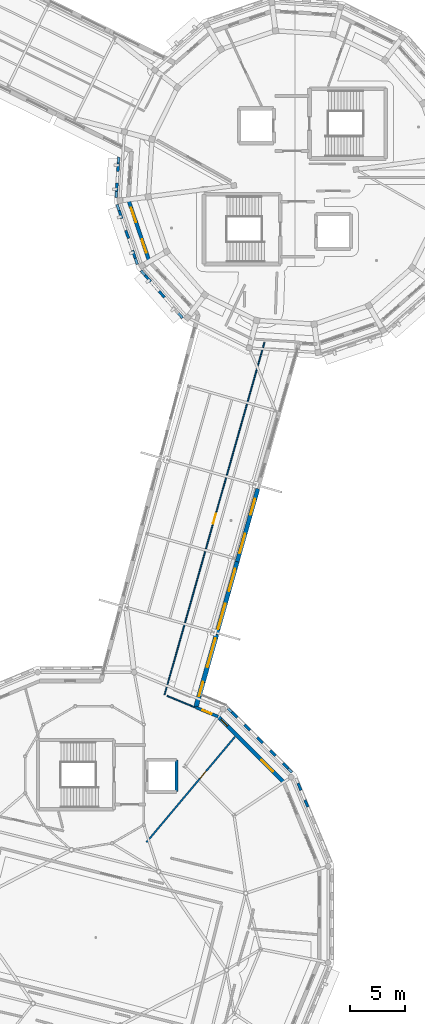
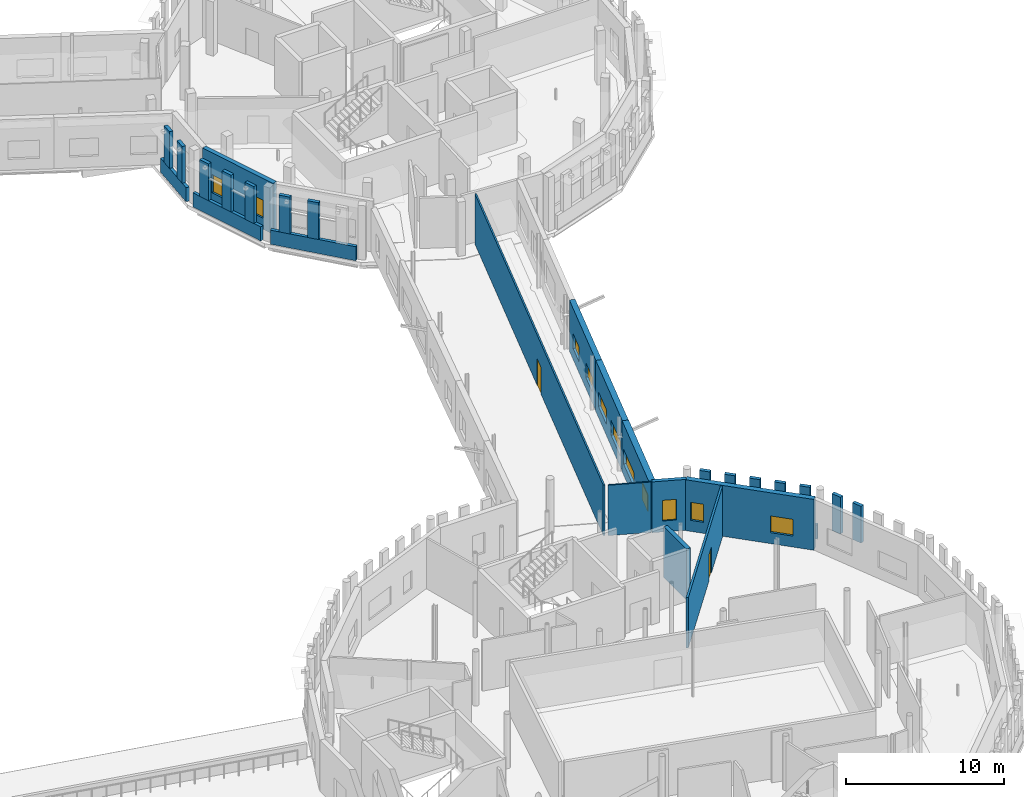
# One storey, part 67 of 90: 28 walls, 11 windows, 2 doors, 13 openings.
"""IFC4 building model written with IfcOpenShell, lengths in metres."""

from ifc_helpers import new_model, si_unit, direction, frame, frame_2d, origin, place, context, subcontext, project, spatial, rectangle, extrude, material, layer, layer_set, type_object, element, fill, save


model = new_model("IFC4")

# Units and contexts
model_context = context("Model", 3, precision=1e-05, world=origin(), true_north=direction((0.0, 1.0)))
body_context = subcontext(model_context, "Body", "Model", "MODEL_VIEW")
ifc_project = project(units=[si_unit("LENGTHUNIT", "METRE"), si_unit("AREAUNIT", "SQUARE_METRE"), si_unit("VOLUMEUNIT", "CUBIC_METRE"), si_unit("PLANEANGLEUNIT", "RADIAN"), si_unit("MASSUNIT", "GRAM", prefix="KILO")], contexts=[model_context])

# Site, building, storey
site_placement = place(None, origin())
site = spatial("IfcSite", under=ifc_project, at=site_placement, CompositionType="ELEMENT")
building_placement = place(site_placement, origin())
building = spatial("IfcBuilding", under=site, at=building_placement, Name="Wrenclough Park School", CompositionType="ELEMENT")
storey_placement = place(building_placement, frame((0.0, 0.0, 8.39990234375)))
storey = spatial("IfcBuildingStorey", under=building, at=storey_placement, Name="L02", CompositionType="ELEMENT", Elevation=8.39990234375)

# Walls
ifc_material_1 = material(Name="Perforated open-bond Staffordshire and Manchester brick screen pier", Category="masonry")
ifc_layer_1 = layer(ifc_material_1, 0.2451171875)
ifc_layer_set_1 = layer_set([ifc_layer_1], Name="Perforated open-bond Staffordshire and Manchester brick screen pier")
wall_type_1 = type_object("IfcWallType", Name="ENV-BS-PR245", PredefinedType="ELEMENTEDWALL", material=ifc_layer_set_1)
for number, where, z_axis, x_axis, name in (
    (1, (175.677001953125, 36.265380859375, 1.090087890625), (0.0, 0.0, 1.0), (-0.38263262807, 0.923900574703, 0.0), "D1 L02 perforated brick screen pier 0390"),
    (2, (175.047119140625, 37.785888671875, 1.090087890625), (0.0, 0.0, 1.0), (-0.38263262807, 0.923900574703, 0.0), "D1 L02 perforated brick screen pier 0391"),
):
    element("IfcWall", number, at=place(storey_placement, frame(where, z_axis=z_axis, x_axis=x_axis)), inside=storey, type_object=wall_type_1, Name=name, PredefinedType="ELEMENTEDWALL", context=body_context, shape_type="SweptSolid", body=[
        extrude(rectangle(XDim=0.69091796875, YDim=0.2451171875, at=frame_2d((0.345458984375, 0.0))), origin(), (0.0, 0.0, 1.0), 2.85009765625),
    ])
wall_1_placement = place(storey_placement, frame((173.895751953125, 39.751708984375, 1.090087890625), z_axis=(0.0, 0.0, 1.0), x_axis=(-0.707283403329, 0.706930114916, 0.0)))
element("IfcWall", 3, at=wall_1_placement, inside=storey, type_object=wall_type_1, Name="D1 L02 perforated brick screen pier 0392", PredefinedType="ELEMENTEDWALL", context=body_context, shape_type="SweptSolid", body=[
    extrude(rectangle(XDim=0.691162109375, YDim=0.2451171875, at=frame_2d((0.345703125, 0.0))), origin(), (0.0, 0.0, 1.0), 2.85009765625),
])
for number, where, z_axis, x_axis, name in (
    (4, (172.73193359375, 40.915283203125, 1.090087890625), (0.0, 0.0, 1.0), (-0.707106781187, 0.707106781187, 0.0), "D1 L02 perforated brick screen pier 0393"),
    (5, (171.568115234375, 42.0791015625, 1.090087890625), (0.0, 0.0, 1.0), (-0.707106781187, 0.707106781187, 0.0), "D1 L02 perforated brick screen pier 0394"),
    (6, (170.404296875, 43.242919921875, 1.090087890625), (0.0, 0.0, 1.0), (-0.707106781187, 0.707106781187, 0.0), "D1 L02 perforated brick screen pier 0395"),
):
    element("IfcWall", number, at=place(storey_placement, frame(where, z_axis=z_axis, x_axis=x_axis)), inside=storey, type_object=wall_type_1, Name=name, PredefinedType="ELEMENTEDWALL", context=body_context, shape_type="SweptSolid", body=[
        extrude(rectangle(XDim=0.69091796875, YDim=0.2451171875, at=frame_2d((0.345458984375, 0.0))), origin(), (0.0, 0.0, 1.0), 2.85009765625),
    ])
wall_2_placement = place(storey_placement, frame((169.24072265625, 44.406494140625, 1.090087890625), z_axis=(0.0, 0.0, 1.0), x_axis=(-0.706930114916, 0.707283403329, 0.0)))
element("IfcWall", 7, at=wall_2_placement, inside=storey, type_object=wall_type_1, Name="D1 L02 perforated brick screen pier 0396", PredefinedType="ELEMENTEDWALL", context=body_context, shape_type="SweptSolid", body=[
    extrude(rectangle(XDim=0.691162109375, YDim=0.2451171875, at=frame_2d((0.345703125, 0.0))), origin(), (0.0, 0.0, 1.0), 2.85009765625),
])
wall_3_placement = place(storey_placement, frame((158.4501953125, 94.810546875, 1.090087890625), z_axis=(0.0, 0.0, 1.0), x_axis=(-0.065517120965, -0.997851445287, 0.0)))
element("IfcWall", 8, at=wall_3_placement, inside=storey, type_object=wall_type_1, Name="D5 L02 perforated brick screen pier 0603", PredefinedType="ELEMENTEDWALL", context=body_context, shape_type="SweptSolid", body=[
    extrude(rectangle(XDim=0.76025390625, YDim=0.2451171875, at=frame_2d((0.380126953125, 0.0))), origin(), (0.0, 0.0, 1.0), 2.85009765625),
])
wall_4_placement = place(storey_placement, frame((158.33056640625, 92.98486328125, 1.090087890625), z_axis=(0.0, 0.0, 1.0), x_axis=(-0.065218228618, -0.997871025061, 0.0)))
element("IfcWall", 9, at=wall_4_placement, inside=storey, type_object=wall_type_1, Name="D5 L02 perforated brick screen pier 0604", PredefinedType="ELEMENTEDWALL", context=body_context, shape_type="SweptSolid", body=[
    extrude(rectangle(XDim=0.760009765625, YDim=0.2451171875, at=frame_2d((0.3798828125, 0.0))), origin(), (0.0, 0.0, 1.0), 2.85009765625),
])
wall_5_placement = place(storey_placement, frame((158.51708984375, 90.49365234375, 1.090087890625), z_axis=(0.0, 0.0, 1.0), x_axis=(0.321332364617, -0.946966478525, 0.0)))
element("IfcWall", 10, at=wall_5_placement, inside=storey, type_object=wall_type_1, Name="D5 L02 perforated brick screen pier 0605", PredefinedType="ELEMENTEDWALL", context=body_context, shape_type="SweptSolid", body=[
    extrude(rectangle(XDim=0.759765625, YDim=0.2451171875, at=frame_2d((0.3798828125, 0.0))), origin(), (0.0, 0.0, 1.0), 2.85009765625),
])
wall_6_placement = place(storey_placement, frame((159.13134765625, 88.684326171875, 1.090087890625), z_axis=(0.0, 0.0, 1.0), x_axis=(0.32123461411, -0.946999642396, 0.0)))
element("IfcWall", 11, at=wall_6_placement, inside=storey, type_object=wall_type_1, Name="D5 L02 perforated brick screen pier 0606", PredefinedType="ELEMENTEDWALL", context=body_context, shape_type="SweptSolid", body=[
    extrude(rectangle(XDim=0.760009765625, YDim=0.2451171875, at=frame_2d((0.3798828125, 0.0))), origin(), (0.0, 0.0, 1.0), 2.85009765625),
])
wall_7_placement = place(storey_placement, frame((159.74560546875, 86.875, 1.090087890625), z_axis=(0.0, 0.0, 1.0), x_axis=(0.321332364617, -0.946966478525, 0.0)))
element("IfcWall", 12, at=wall_7_placement, inside=storey, type_object=wall_type_1, Name="D5 L02 perforated brick screen pier 0607", PredefinedType="ELEMENTEDWALL", context=body_context, shape_type="SweptSolid", body=[
    extrude(rectangle(XDim=0.759765625, YDim=0.2451171875, at=frame_2d((0.3798828125, 0.0))), origin(), (0.0, 0.0, 1.0), 2.85009765625),
])
wall_8_placement = place(storey_placement, frame((160.884033203125, 84.606201171875, 1.090087890625), z_axis=(0.0, 0.0, 1.0), x_axis=(0.659504701015, -0.751700438565, 0.0)))
element("IfcWall", 13, at=wall_8_placement, inside=storey, type_object=wall_type_1, Name="D5 L02 perforated brick screen pier 0608", PredefinedType="ELEMENTEDWALL", context=body_context, shape_type="SweptSolid", body=[
    extrude(rectangle(XDim=0.760009765625, YDim=0.2451171875, at=frame_2d((0.3798828125, 0.0))), origin(), (0.0, 0.0, 1.0), 2.85009765625),
])
wall_9_placement = place(storey_placement, frame((162.143798828125, 83.169921875, 1.090087890625), z_axis=(0.0, 0.0, 1.0), x_axis=(0.659345470196, -0.751840109951, 0.0)))
element("IfcWall", 14, at=wall_9_placement, inside=storey, type_object=wall_type_1, Name="D5 L02 perforated brick screen pier 0609", PredefinedType="ELEMENTEDWALL", context=body_context, shape_type="SweptSolid", body=[
    extrude(rectangle(XDim=0.76025390625, YDim=0.2451171875, at=frame_2d((0.380126953125, 0.0))), origin(), (0.0, 0.0, 1.0), 2.85009765625),
])
ifc_material_2 = material(Name="Open-bond Manchester multi-stock brick spandrel screen", Category="masonry")
ifc_layer_2 = layer(ifc_material_2, 0.22509765625)
ifc_layer_set_2 = layer_set([ifc_layer_2], Name="Open-bond Manchester multi-stock brick spandrel screen")
wall_type_2 = type_object("IfcWallType", Name="ENV-BS-SP225", PredefinedType="ELEMENTEDWALL", material=ifc_layer_set_2)
wall_10_placement = place(storey_placement, frame((174.2333984375, 39.4140625, 0.0), z_axis=(0.0, 0.0, 1.0), x_axis=(-0.707106781187, 0.707106781187, 0.0)))
element("IfcWall", 15, at=wall_10_placement, inside=storey, type_object=wall_type_2, Name="D1 L02 open-bond brick screen spandrel 0110", PredefinedType="ELEMENTEDWALL", context=body_context, shape_type="SweptSolid", body=[
    extrude(rectangle(XDim=8.22900390625, YDim=0.22509765625, at=frame_2d((4.114501953125, 0.0))), origin(), (0.0, 0.0, 1.0), 1.090087890625),
])
wall_11_placement = place(storey_placement, frame((158.485107421875, 95.343994140625, 0.0), z_axis=(0.0, 0.0, 1.0), x_axis=(-0.065389676282, -0.9978598049, 0.0)))
element("IfcWall", 16, at=wall_11_placement, inside=storey, type_object=wall_type_2, Name="D5 L02 open-bond brick screen spandrel 0166", PredefinedType="ELEMENTEDWALL", context=body_context, shape_type="SweptSolid", body=[
    extrude(rectangle(XDim=3.658935546875, YDim=0.22509765625, at=frame_2d((1.82958984375, 0.0))), origin(), (0.0, 0.0, 1.0), 1.090087890625),
])
for number, where, z_axis, x_axis, name in (
    (17, (158.33203125, 91.03857421875, 0.0), (0.0, 0.0, 1.0), (0.321474350277, -0.946918286925, 0.0), "D5 L02 open-bond brick screen spandrel 0167"),
    (18, (160.504638671875, 85.038818359375, 0.0), (0.0, 0.0, 1.0), (0.659360536521, -0.751826896884, 0.0), "D5 L02 open-bond brick screen spandrel 0168"),
):
    element("IfcWall", number, at=place(storey_placement, frame(where, z_axis=z_axis, x_axis=x_axis)), inside=storey, type_object=wall_type_2, Name=name, PredefinedType="ELEMENTEDWALL", context=body_context, shape_type="SweptSolid", body=[
        extrude(rectangle(XDim=5.732177734375, YDim=0.22509765625, at=frame_2d((2.8662109375, 0.0))), origin(), (0.0, 0.0, 1.0), 1.090087890625),
    ])

# Wall, opening, window
ifc_material_3 = material(Name="Link wing brick-faced cavity wall Concrete C32/40", Category="masonry")
ifc_layer_3 = layer(ifc_material_3, 0.27490234375)
ifc_layer_set_3 = layer_set([ifc_layer_3], Name="Link wing brick-faced cavity wall Concrete C32/40")
wall_type_3 = type_object("IfcWallType", Name="ENV-EW-275", PredefinedType="SOLIDWALL", material=ifc_layer_set_3)
wall_12_placement = place(storey_placement, frame((165.493896484375, 45.3203125, 0.0), z_axis=(0.0, 0.0, 1.0), x_axis=(0.923883575944, -0.382673670509, 0.0)))
wall_12 = element("IfcWall", 19, at=wall_12_placement, inside=storey, type_object=wall_type_3, Name="L02 insulated brick external wall 0198", PredefinedType="SOLIDWALL", context=body_context, shape_type="SweptSolid", body=[
    extrude(rectangle(XDim=2.188232421875, YDim=0.27490234375, at=frame_2d((1.09423828125, 0.0))), origin(), (0.0, 0.0, 1.0), 3.940185546875),
])
opening_1_placement = place(wall_12_placement, frame((0.644287109375, 0.0, 0.85009765625)))
opening_1 = element("IfcOpeningElement", 20, at=opening_1_placement, cuts=wall_12, Name="Opening WN-13", PredefinedType="OPENING", context=body_context, shape_type="SweptSolid", body=[
    extrude(rectangle(XDim=0.89990234375, YDim=1.60009765625, at=frame_2d((0.449951171875, 0.800048828125))), frame((0.0, 0.1474609375, 0.0), z_axis=(0.0, -1.0, 0.0), x_axis=(1.0, 0.0, 0.0)), (0.0, 0.0, 1.0), 0.294921875),
])
ifc_material_4 = material(Name="Thermally broken aluminium and double-glazed low-e glass", Category="aluminium")
window_type_1 = type_object("IfcWindowType", Name="ENV-WN-13", PartitioningType="SINGLE_PANEL", PredefinedType="WINDOW", material=ifc_material_4)
window_1_placement = place(opening_1_placement, origin())
window_1 = element("IfcWindow", 21, at=window_1_placement, inside=storey, type_object=window_type_1, Name="L02 scheduled facade window 0323", OverallHeight=1.60009765625, OverallWidth=0.89990234375, PartitioningType="SINGLE_PANEL", PredefinedType="WINDOW", context=body_context, shape_type="SweptSolid", body=[
    extrude(rectangle(XDim=0.89990234375, YDim=1.60009765625, at=frame_2d((0.449951171875, 0.800048828125))), frame((0.0, 0.030029296875, 0.0), z_axis=(0.0, -1.0, 0.0), x_axis=(1.0, 0.0, 0.0)), (0.0, 0.0, 1.0), 0.06005859375),
])
fill(opening_1, window_1)

# Wall, openings, windows
ifc_material_5 = material(Name="Manchester multi-stock brick and Concrete C32/40 inner leaf", Category="masonry")
ifc_layer_4 = layer(ifc_material_5, 0.324951171875)
ifc_layer_set_4 = layer_set([ifc_layer_4], Name="Manchester multi-stock brick and Concrete C32/40 inner leaf")
wall_type_4 = type_object("IfcWallType", Name="ENV-EW-325", PredefinedType="SOLIDWALL", material=ifc_layer_set_4)
wall_13_placement = place(storey_placement, frame((161.26904296875, 85.861083984375, 0.0), z_axis=(0.0, 0.0, 1.0), x_axis=(-0.321420298269, 0.94693663561, 0.0)))
wall_13 = element("IfcWall", 22, at=wall_13_placement, inside=storey, type_object=wall_type_4, Name="L02 insulated brick external wall 0145", PredefinedType="SOLIDWALL", context=body_context, shape_type="SweptSolid", body=[
    extrude(rectangle(XDim=5.961181640625, YDim=0.324951171875, at=frame_2d((2.98046875, 0.0))), origin(), (0.0, 0.0, 1.0), 3.940185546875),
])
opening_2_placement = place(wall_13_placement, frame((0.865234375, 0.0, 0.85009765625)))
opening_2 = element("IfcOpeningElement", 23, at=opening_2_placement, cuts=wall_13, Name="Opening WN-04", PredefinedType="OPENING", context=body_context, shape_type="SweptSolid", body=[
    extrude(rectangle(XDim=1.25, YDim=1.39990234375, at=frame_2d((0.625, 0.699951171875))), frame((0.0, 0.17236328125, 0.0), z_axis=(0.0, -1.0, 0.0), x_axis=(1.0, 0.0, 0.0)), (0.0, 0.0, 1.0), 0.344970703125),
])
opening_3_placement = place(wall_13_placement, frame((3.77099609375, 0.0, 0.85009765625)))
opening_3 = element("IfcOpeningElement", 24, at=opening_3_placement, cuts=wall_13, Name="Opening WN-05", PredefinedType="OPENING", context=body_context, shape_type="SweptSolid", body=[
    extrude(rectangle(XDim=1.39990234375, YDim=1.39990234375, at=frame_2d((0.699951171875, 0.699951171875))), frame((0.0, 0.17236328125, 0.0), z_axis=(0.0, -1.0, 0.0), x_axis=(1.0, 0.0, 0.0)), (0.0, 0.0, 1.0), 0.344970703125),
])
window_type_2 = type_object("IfcWindowType", Name="ENV-WN-04", PartitioningType="SINGLE_PANEL", PredefinedType="WINDOW", material=ifc_material_4)
window_2_placement = place(opening_2_placement, origin())
window_2 = element("IfcWindow", 25, at=window_2_placement, inside=storey, type_object=window_type_2, Name="L02 scheduled facade window 0227", OverallHeight=1.39990234375, OverallWidth=1.25, PartitioningType="SINGLE_PANEL", PredefinedType="WINDOW", context=body_context, shape_type="SweptSolid", body=[
    extrude(rectangle(XDim=1.25, YDim=1.39990234375, at=frame_2d((0.625, 0.699951171875))), frame((0.0, 0.030029296875, 0.0), z_axis=(0.0, -1.0, 0.0), x_axis=(1.0, 0.0, 0.0)), (0.0, 0.0, 1.0), 0.06005859375),
])
fill(opening_2, window_2)
window_type_3 = type_object("IfcWindowType", Name="ENV-WN-05", PartitioningType="SINGLE_PANEL", PredefinedType="WINDOW", material=ifc_material_4)
window_3_placement = place(opening_3_placement, origin())
window_3 = element("IfcWindow", 26, at=window_3_placement, inside=storey, type_object=window_type_3, Name="L02 scheduled facade window 0228", OverallHeight=1.39990234375, OverallWidth=1.39990234375, PartitioningType="SINGLE_PANEL", PredefinedType="WINDOW", context=body_context, shape_type="SweptSolid", body=[
    extrude(rectangle(XDim=1.39990234375, YDim=1.39990234375, at=frame_2d((0.699951171875, 0.699951171875))), frame((0.0, 0.030029296875, 0.0), z_axis=(0.0, -1.0, 0.0), x_axis=(1.0, 0.0, 0.0)), (0.0, 0.0, 1.0), 0.06005859375),
])
fill(opening_3, window_3)

ifc_material_6 = material(Name="Faceted courtyard brick-cavity wall Concrete C35/45", Category="masonry")
ifc_layer_5 = layer(ifc_material_6, 0.364990234375)
ifc_layer_set_5 = layer_set([ifc_layer_5], Name="Faceted courtyard brick-cavity wall Concrete C35/45")
wall_type_5 = type_object("IfcWallType", Name="ENV-EW-365", PredefinedType="SOLIDWALL", material=ifc_layer_set_5)
wall_14_placement = place(storey_placement, frame((167.515625, 44.48291015625, 0.0), z_axis=(0.0, 0.0, 1.0), x_axis=(0.707106781187, -0.707106781187, 0.0)))
wall_14 = element("IfcWall", 27, at=wall_14_placement, inside=storey, type_object=wall_type_5, Name="L02 insulated brick external wall 0199", PredefinedType="SOLIDWALL", context=body_context, shape_type="SweptSolid", body=[
    extrude(rectangle(XDim=8.43896484375, YDim=0.364990234375, at=frame_2d((4.219482421875, 0.0))), origin(), (0.0, 0.0, 1.0), 3.940185546875),
])
opening_4_placement = place(wall_14_placement, frame((0.35009765625, 0.0, 0.85009765625)))
opening_4 = element("IfcOpeningElement", 28, at=opening_4_placement, cuts=wall_14, Name="Opening WN-01", PredefinedType="OPENING", context=body_context, shape_type="SweptSolid", body=[
    extrude(rectangle(XDim=0.85009765625, YDim=1.39990234375, at=frame_2d((0.425048828125, 0.699951171875))), frame((0.0, 0.1923828125, 0.0), z_axis=(0.0, -1.0, 0.0), x_axis=(1.0, 0.0, 0.0)), (0.0, 0.0, 1.0), 0.385009765625),
])
opening_5_placement = place(wall_14_placement, frame((5.5791015625, 0.0, 0.85009765625)))
opening_5 = element("IfcOpeningElement", 29, at=opening_5_placement, cuts=wall_14, Name="Opening WN-46", PredefinedType="OPENING", context=body_context, shape_type="SweptSolid", body=[
    extrude(rectangle(XDim=1.5, YDim=1.300048828125, at=frame_2d((0.75, 0.64990234375))), frame((0.0, 0.1923828125, 0.0), z_axis=(0.0, -1.0, 0.0), x_axis=(1.0, 0.0, 0.0)), (0.0, 0.0, 1.0), 0.385009765625),
])
window_type_4 = type_object("IfcWindowType", Name="ENV-WN-01", PartitioningType="SINGLE_PANEL", PredefinedType="WINDOW", material=ifc_material_4)
window_4_placement = place(opening_4_placement, origin())
window_4 = element("IfcWindow", 30, at=window_4_placement, inside=storey, type_object=window_type_4, Name="L02 scheduled facade window 0324", OverallHeight=1.39990234375, OverallWidth=0.85009765625, PartitioningType="SINGLE_PANEL", PredefinedType="WINDOW", context=body_context, shape_type="SweptSolid", body=[
    extrude(rectangle(XDim=0.85009765625, YDim=1.39990234375, at=frame_2d((0.425048828125, 0.699951171875))), frame((0.0, 0.030029296875, 0.0), z_axis=(0.0, -1.0, 0.0), x_axis=(1.0, 0.0, 0.0)), (0.0, 0.0, 1.0), 0.06005859375),
])
fill(opening_4, window_4)
window_type_5 = type_object("IfcWindowType", Name="ENV-WN-46", PartitioningType="DOUBLE_PANEL_VERTICAL", PredefinedType="WINDOW", material=ifc_material_4)
window_5_placement = place(opening_5_placement, origin())
window_5 = element("IfcWindow", 31, at=window_5_placement, inside=storey, type_object=window_type_5, Name="L02 scheduled facade window 0325", OverallHeight=1.300048828125, OverallWidth=1.5, PartitioningType="SINGLE_PANEL", PredefinedType="WINDOW", context=body_context, shape_type="SweptSolid", body=[
    extrude(rectangle(XDim=1.5, YDim=1.300048828125, at=frame_2d((0.75, 0.64990234375))), frame((0.0, 0.030029296875, 0.0), z_axis=(0.0, -1.0, 0.0), x_axis=(1.0, 0.0, 0.0)), (0.0, 0.0, 1.0), 0.06005859375),
])
fill(opening_5, window_5)

ifc_material_7 = material(Name="Manchester multi-stock brick and Concrete C35/45 inner leaf", Category="masonry")
ifc_layer_6 = layer(ifc_material_7, 0.3798828125)
ifc_layer_set_6 = layer_set([ifc_layer_6], Name="Manchester multi-stock brick and Concrete C35/45 inner leaf")
wall_type_6 = type_object("IfcWallType", Name="ENV-EW-380", PredefinedType="SOLIDWALL", material=ifc_layer_set_6)
wall_15_placement = place(storey_placement, frame((171.132080078125, 65.202880859375, 0.0), z_axis=(0.0, 0.0, 1.0), x_axis=(-0.27282018356, -0.962065043249, 0.0)))
wall_15 = element("IfcWall", 32, at=wall_15_placement, inside=storey, type_object=wall_type_6, Name="L02 insulated brick external wall 0195", PredefinedType="SOLIDWALL", context=body_context, shape_type="SweptSolid", body=[
    extrude(rectangle(XDim=6.888671875, YDim=0.3798828125, at=frame_2d((3.4443359375, 0.0))), origin(), (0.0, 0.0, 1.0), 3.940185546875),
])
opening_6_placement = place(wall_15_placement, frame((0.97216796875, 0.0, 0.85009765625)))
opening_6 = element("IfcOpeningElement", 33, at=opening_6_placement, cuts=wall_15, Name="Opening WN-38", PredefinedType="OPENING", context=body_context, shape_type="SweptSolid", body=[
    extrude(rectangle(XDim=1.5, YDim=1.14990234375, at=frame_2d((0.75, 0.574951171875))), frame((0.0, 0.199951171875, 0.0), z_axis=(0.0, -1.0, 0.0), x_axis=(1.0, 0.0, 0.0)), (0.0, 0.0, 1.0), 0.39990234375),
])
opening_7_placement = place(wall_15_placement, frame((4.2666015625, 0.0, 0.85009765625)))
opening_7 = element("IfcOpeningElement", 34, at=opening_7_placement, cuts=wall_15, Name="Opening WN-39", PredefinedType="OPENING", context=body_context, shape_type="SweptSolid", body=[
    extrude(rectangle(XDim=1.800048828125, YDim=1.14990234375, at=frame_2d((0.89990234375, 0.574951171875))), frame((0.0, 0.199951171875, 0.0), z_axis=(0.0, -1.0, 0.0), x_axis=(1.0, 0.0, 0.0)), (0.0, 0.0, 1.0), 0.39990234375),
])
window_type_6 = type_object("IfcWindowType", Name="ENV-WN-38", PartitioningType="DOUBLE_PANEL_VERTICAL", PredefinedType="WINDOW", material=ifc_material_4)
window_6_placement = place(opening_6_placement, origin())
window_6 = element("IfcWindow", 35, at=window_6_placement, inside=storey, type_object=window_type_6, Name="L02 scheduled facade window 0317", OverallHeight=1.14990234375, OverallWidth=1.5, PartitioningType="SINGLE_PANEL", PredefinedType="WINDOW", context=body_context, shape_type="SweptSolid", body=[
    extrude(rectangle(XDim=1.5, YDim=1.14990234375, at=frame_2d((0.75, 0.574951171875))), frame((0.0, 0.030029296875, 0.0), z_axis=(0.0, -1.0, 0.0), x_axis=(1.0, 0.0, 0.0)), (0.0, 0.0, 1.0), 0.06005859375),
])
fill(opening_6, window_6)
window_type_7 = type_object("IfcWindowType", Name="ENV-WN-39", PartitioningType="DOUBLE_PANEL_VERTICAL", PredefinedType="WINDOW", material=ifc_material_4)
window_7_placement = place(opening_7_placement, origin())
window_7 = element("IfcWindow", 36, at=window_7_placement, inside=storey, type_object=window_type_7, Name="L02 scheduled facade window 0318", OverallHeight=1.14990234375, OverallWidth=1.800048828125, PartitioningType="SINGLE_PANEL", PredefinedType="WINDOW", context=body_context, shape_type="SweptSolid", body=[
    extrude(rectangle(XDim=1.800048828125, YDim=1.14990234375, at=frame_2d((0.89990234375, 0.574951171875))), frame((0.0, 0.030029296875, 0.0), z_axis=(0.0, -1.0, 0.0), x_axis=(1.0, 0.0, 0.0)), (0.0, 0.0, 1.0), 0.06005859375),
])
fill(opening_7, window_7)

ifc_material_8 = material(Name="Staffordshire blue-grey brick and Concrete C40/50 acoustic leaf", Category="masonry")
ifc_layer_7 = layer(ifc_material_8, 0.39990234375)
ifc_layer_set_7 = layer_set([ifc_layer_7], Name="Staffordshire blue-grey brick and Concrete C40/50 acoustic leaf")
wall_type_7 = type_object("IfcWallType", Name="ENV-EW-400", PredefinedType="SOLIDWALL", material=ifc_layer_set_7)
wall_16_placement = place(storey_placement, frame((169.252685546875, 58.575439453125, 0.0), z_axis=(0.0, 0.0, 1.0), x_axis=(-0.272810881797, -0.962067680973, 0.0)))
wall_16 = element("IfcWall", 37, at=wall_16_placement, inside=storey, type_object=wall_type_7, Name="L02 insulated brick external wall 0196", PredefinedType="SOLIDWALL", context=body_context, shape_type="SweptSolid", body=[
    extrude(rectangle(XDim=6.888916015625, YDim=0.39990234375, at=frame_2d((3.4443359375, 0.0))), origin(), (0.0, 0.0, 1.0), 3.940185546875),
])
opening_8_placement = place(wall_16_placement, frame((0.672119140625, 0.0, 0.85009765625)))
opening_8 = element("IfcOpeningElement", 38, at=opening_8_placement, cuts=wall_16, Name="Opening WN-40", PredefinedType="OPENING", context=body_context, shape_type="SweptSolid", body=[
    extrude(rectangle(XDim=2.10009765625, YDim=1.14990234375, at=frame_2d((1.050048828125, 0.574951171875))), frame((0.0, 0.2099609375, 0.0), z_axis=(0.0, -1.0, 0.0), x_axis=(1.0, 0.0, 0.0)), (0.0, 0.0, 1.0), 0.419921875),
])
opening_9_placement = place(wall_16_placement, frame((3.966796875, 0.0, 0.85009765625)))
opening_9 = element("IfcOpeningElement", 39, at=opening_9_placement, cuts=wall_16, Name="Opening WN-41", PredefinedType="OPENING", context=body_context, shape_type="SweptSolid", body=[
    extrude(rectangle(XDim=2.39990234375, YDim=1.14990234375, at=frame_2d((1.199951171875, 0.574951171875))), frame((0.0, 0.2099609375, 0.0), z_axis=(0.0, -1.0, 0.0), x_axis=(1.0, 0.0, 0.0)), (0.0, 0.0, 1.0), 0.419921875),
])
window_type_8 = type_object("IfcWindowType", Name="ENV-WN-40", PartitioningType="DOUBLE_PANEL_VERTICAL", PredefinedType="WINDOW", material=ifc_material_4)
window_8_placement = place(opening_8_placement, origin())
window_8 = element("IfcWindow", 40, at=window_8_placement, inside=storey, type_object=window_type_8, Name="L02 scheduled facade window 0319", OverallHeight=1.14990234375, OverallWidth=2.10009765625, PartitioningType="SINGLE_PANEL", PredefinedType="WINDOW", context=body_context, shape_type="SweptSolid", body=[
    extrude(rectangle(XDim=2.10009765625, YDim=1.14990234375, at=frame_2d((1.050048828125, 0.574951171875))), frame((0.0, 0.030029296875, 0.0), z_axis=(0.0, -1.0, 0.0), x_axis=(1.0, 0.0, 0.0)), (0.0, 0.0, 1.0), 0.06005859375),
])
fill(opening_8, window_8)
window_type_9 = type_object("IfcWindowType", Name="ENV-WN-41", PartitioningType="DOUBLE_PANEL_VERTICAL", PredefinedType="WINDOW", material=ifc_material_4)
window_9_placement = place(opening_9_placement, origin())
window_9 = element("IfcWindow", 41, at=window_9_placement, inside=storey, type_object=window_type_9, Name="L02 scheduled facade window 0320", OverallHeight=1.14990234375, OverallWidth=2.39990234375, PartitioningType="SINGLE_PANEL", PredefinedType="WINDOW", context=body_context, shape_type="SweptSolid", body=[
    extrude(rectangle(XDim=2.39990234375, YDim=1.14990234375, at=frame_2d((1.199951171875, 0.574951171875))), frame((0.0, 0.030029296875, 0.0), z_axis=(0.0, -1.0, 0.0), x_axis=(1.0, 0.0, 0.0)), (0.0, 0.0, 1.0), 0.06005859375),
])
fill(opening_9, window_9)

ifc_material_9 = material(Name="Insulated brick-clad sports hall wall Concrete C40/50", Category="masonry")
ifc_layer_8 = layer(ifc_material_9, 0.425048828125)
ifc_layer_set_8 = layer_set([ifc_layer_8], Name="Insulated brick-clad sports hall wall Concrete C40/50")
wall_type_8 = type_object("IfcWallType", Name="ENV-EW-425", PredefinedType="SOLIDWALL", material=ifc_layer_set_8)
wall_17_placement = place(storey_placement, frame((167.373291015625, 51.94775390625, 0.0), z_axis=(0.0, 0.0, 1.0), x_axis=(-0.27282018356, -0.962065043249, 0.0)))
wall_17 = element("IfcWall", 42, at=wall_17_placement, inside=storey, type_object=wall_type_8, Name="L02 insulated brick external wall 0197", PredefinedType="SOLIDWALL", context=body_context, shape_type="SweptSolid", body=[
    extrude(rectangle(XDim=6.888671875, YDim=0.425048828125, at=frame_2d((3.4443359375, 0.0))), origin(), (0.0, 0.0, 1.0), 3.940185546875),
])
opening_10_placement = place(wall_17_placement, frame((0.372314453125, 0.0, 0.85009765625)))
opening_10 = element("IfcOpeningElement", 43, at=opening_10_placement, cuts=wall_17, Name="Opening WN-42", PredefinedType="OPENING", context=body_context, shape_type="SweptSolid", body=[
    extrude(rectangle(XDim=2.699951171875, YDim=1.14990234375, at=frame_2d((1.35009765625, 0.574951171875))), frame((0.0, 0.222412109375, 0.0), z_axis=(0.0, -1.0, 0.0), x_axis=(1.0, 0.0, 0.0)), (0.0, 0.0, 1.0), 0.445068359375),
])
opening_11_placement = place(wall_17_placement, frame((4.49169921875, 0.0, 0.85009765625)))
opening_11 = element("IfcOpeningElement", 44, at=opening_11_placement, cuts=wall_17, Name="Opening WN-43", PredefinedType="OPENING", context=body_context, shape_type="SweptSolid", body=[
    extrude(rectangle(XDim=1.35009765625, YDim=1.300048828125, at=frame_2d((0.675048828125, 0.64990234375))), frame((0.0, 0.222412109375, 0.0), z_axis=(0.0, -1.0, 0.0), x_axis=(1.0, 0.0, 0.0)), (0.0, 0.0, 1.0), 0.445068359375),
])
window_type_10 = type_object("IfcWindowType", Name="ENV-WN-42", PartitioningType="DOUBLE_PANEL_VERTICAL", PredefinedType="WINDOW", material=ifc_material_4)
window_10_placement = place(opening_10_placement, origin())
window_10 = element("IfcWindow", 45, at=window_10_placement, inside=storey, type_object=window_type_10, Name="L02 scheduled facade window 0321", OverallHeight=1.14990234375, OverallWidth=2.699951171875, PartitioningType="SINGLE_PANEL", PredefinedType="WINDOW", context=body_context, shape_type="SweptSolid", body=[
    extrude(rectangle(XDim=2.699951171875, YDim=1.14990234375, at=frame_2d((1.35009765625, 0.574951171875))), frame((0.0, 0.030029296875, 0.0), z_axis=(0.0, -1.0, 0.0), x_axis=(1.0, 0.0, 0.0)), (0.0, 0.0, 1.0), 0.06005859375),
])
fill(opening_10, window_10)
window_type_11 = type_object("IfcWindowType", Name="ENV-WN-43", PartitioningType="SINGLE_PANEL", PredefinedType="WINDOW", material=ifc_material_4)
window_11_placement = place(opening_11_placement, origin())
window_11 = element("IfcWindow", 46, at=window_11_placement, inside=storey, type_object=window_type_11, Name="L02 scheduled facade window 0322", OverallHeight=1.300048828125, OverallWidth=1.35009765625, PartitioningType="SINGLE_PANEL", PredefinedType="WINDOW", context=body_context, shape_type="SweptSolid", body=[
    extrude(rectangle(XDim=1.35009765625, YDim=1.300048828125, at=frame_2d((0.675048828125, 0.64990234375))), frame((0.0, 0.030029296875, 0.0), z_axis=(0.0, -1.0, 0.0), x_axis=(1.0, 0.0, 0.0)), (0.0, 0.0, 1.0), 0.06005859375),
])
fill(opening_11, window_11)

# Wall
ifc_material_10 = material(Name="Concrete C40/50", Category="concrete")
ifc_layer_9 = layer(ifc_material_10, 0.2900390625)
ifc_layer_set_9 = layer_set([ifc_layer_9], Name="Concrete C40/50")
wall_type_9 = type_object("IfcWallType", Name="INT-CW-290", PredefinedType="SHEAR", material=ifc_layer_set_9)
wall_18_placement = place(storey_placement, frame((163.7451171875, 37.655029296875, 0.0), z_axis=(0.0, 0.0, 1.0), x_axis=(0.0, 1.0, 0.0)))
element("IfcWall", 47, at=wall_18_placement, inside=storey, type_object=wall_type_9, Name="Lift LFT-03 L02 east shaft wall", PredefinedType="SHEAR", context=body_context, shape_type="SweptSolid", body=[
    extrude(rectangle(XDim=2.889892578125, YDim=0.2900390625, at=frame_2d((1.44482421875, 0.0))), origin(), (0.0, 0.0, 1.0), 3.9501953125),
])

# Wall, opening, door
ifc_material_11 = material(Name="Lightweight fire-rated store partition", Category="gypsum")
ifc_layer_10 = layer(ifc_material_11, 0.110107421875)
ifc_layer_set_10 = layer_set([ifc_layer_10], Name="Lightweight fire-rated store partition")
wall_type_10 = type_object("IfcWallType", Name="INT-PW-110", PredefinedType="PARTITIONING", material=ifc_layer_set_10)
wall_19_placement = place(storey_placement, frame((171.727783203125, 78.4951171875, 0.0), z_axis=(0.0, 0.0, 1.0), x_axis=(-0.27275916011, -0.962082346047, 0.0)))
wall_19 = element("IfcWall", 48, at=wall_19_placement, inside=storey, type_object=wall_type_10, Name="L02 internal partition 0404", PredefinedType="PARTITIONING", context=body_context, shape_type="SweptSolid", body=[
    extrude(rectangle(XDim=33.29052734375, YDim=0.110107421875, at=frame_2d((16.645263671875, 0.0))), origin(), (0.0, 0.0, 1.0), 3.900146484375),
])
opening_12_placement = place(wall_19_placement, frame((16.185302734375, 0.0, 0.0)))
opening_12 = element("IfcOpeningElement", 49, at=opening_12_placement, cuts=wall_19, Name="Opening DR-L02-081", PredefinedType="OPENING", context=body_context, shape_type="SweptSolid", body=[
    extrude(rectangle(XDim=0.919921875, YDim=2.080078125, at=frame_2d((0.4599609375, 1.0400390625))), frame((0.0, 0.06494140625, 0.0), z_axis=(0.0, -1.0, 0.0), x_axis=(1.0, 0.0, 0.0)), (0.0, 0.0, 1.0), 0.130126953125),
])
ifc_material_12 = material(Name="Acoustic classroom single leaf vision door assembly", Category="wood")
door_type_1 = type_object("IfcDoorType", Name="INT-DR-CL092", OperationType="NOTDEFINED", PredefinedType="DOOR", material=ifc_material_12)
door_1_placement = place(opening_12_placement, origin())
door_1 = element("IfcDoor", 50, at=door_1_placement, inside=storey, type_object=door_type_1, Name="Park View Seminar Classroom L02 door DR-L02-081", OperationType="SINGLE_SWING_RIGHT", OverallHeight=2.080078125, OverallWidth=0.919921875, PredefinedType="DOOR", context=body_context, shape_type="SweptSolid", body=[
    extrude(rectangle(XDim=0.919921875, YDim=2.080078125, at=frame_2d((0.4599609375, 1.0400390625))), frame((0.0, 0.02490234375, 0.0), z_axis=(0.0, -1.0, 0.0), x_axis=(1.0, 0.0, 0.0)), (0.0, 0.0, 1.0), 0.050048828125),
])
fill(opening_12, door_1)

# Wall
wall_20_placement = place(storey_placement, frame((162.87841796875, 46.37109375, 0.0), z_axis=(0.0, 0.0, 1.0), x_axis=(0.923881153935, -0.382679517877, 0.0)))
element("IfcWall", 51, at=wall_20_placement, inside=storey, type_object=wall_type_10, Name="L02 internal partition 0405", PredefinedType="PARTITIONING", context=body_context, shape_type="SweptSolid", body=[
    extrude(rectangle(XDim=2.741455078125, YDim=0.110107421875, at=frame_2d((1.37060546875, 0.0))), origin(), (0.0, 0.0, 1.0), 3.900146484375),
])

# Wall, opening, door
ifc_material_13 = material(Name="Protected corridor partition", Category="gypsum")
ifc_layer_11 = layer(ifc_material_13, 0.14990234375)
ifc_layer_set_11 = layer_set([ifc_layer_11], Name="Protected corridor partition")
wall_type_11 = type_object("IfcWallType", Name="INT-PW-150", PredefinedType="PARTITIONING", material=ifc_layer_set_11)
wall_21_placement = place(storey_placement, frame((169.052978515625, 42.65185546875, 0.0), z_axis=(0.0, 0.0, 1.0), x_axis=(-0.642787139762, -0.766044837432, 0.0)))
wall_21 = element("IfcWall", 52, at=wall_21_placement, inside=storey, type_object=wall_type_11, Name="L02 internal partition 0318", PredefinedType="PARTITIONING", context=body_context, shape_type="SweptSolid", body=[
    extrude(rectangle(XDim=12.530029296875, YDim=0.14990234375, at=frame_2d((6.26513671875, 0.0))), origin(), (0.0, 0.0, 1.0), 3.9150390625),
])
opening_13_placement = place(wall_21_placement, frame((4.091552734375, 0.0, 0.0)))
opening_13 = element("IfcOpeningElement", 53, at=opening_13_placement, cuts=wall_21, Name="Opening DR-L02-060", PredefinedType="OPENING", context=body_context, shape_type="SweptSolid", body=[
    extrude(rectangle(XDim=0.840087890625, YDim=2.0400390625, at=frame_2d((0.419921875, 1.02001953125))), frame((0.0, 0.0849609375, 0.0), z_axis=(0.0, -1.0, 0.0), x_axis=(1.0, 0.0, 0.0)), (0.0, 0.0, 1.0), 0.169921875),
])
ifc_material_14 = material(Name="Prep and store room fire door assembly", Category="wood")
door_type_2 = type_object("IfcDoorType", Name="INT-DR-STR084", OperationType="NOTDEFINED", PredefinedType="DOOR", material=ifc_material_14)
door_2_placement = place(opening_13_placement, origin())
door_2 = element("IfcDoor", 54, at=door_2_placement, inside=storey, type_object=door_type_2, Name="East Mat and Court Store door DR-L02-060", OperationType="SINGLE_SWING_LEFT", OverallHeight=2.0400390625, OverallWidth=0.840087890625, PredefinedType="DOOR", context=body_context, shape_type="SweptSolid", body=[
    extrude(rectangle(XDim=0.840087890625, YDim=2.0400390625, at=frame_2d((0.419921875, 1.02001953125))), frame((0.0, 0.02490234375, 0.0), z_axis=(0.0, -1.0, 0.0), x_axis=(1.0, 0.0, 0.0)), (0.0, 0.0, 1.0), 0.050048828125),
])
fill(opening_13, door_2)

save(model, "model.ifc")
